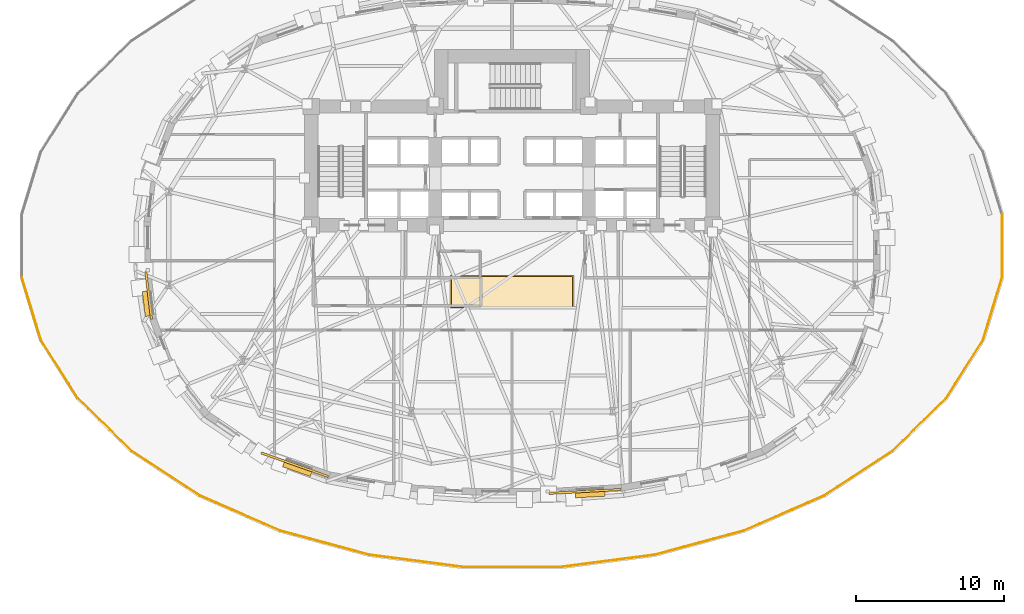
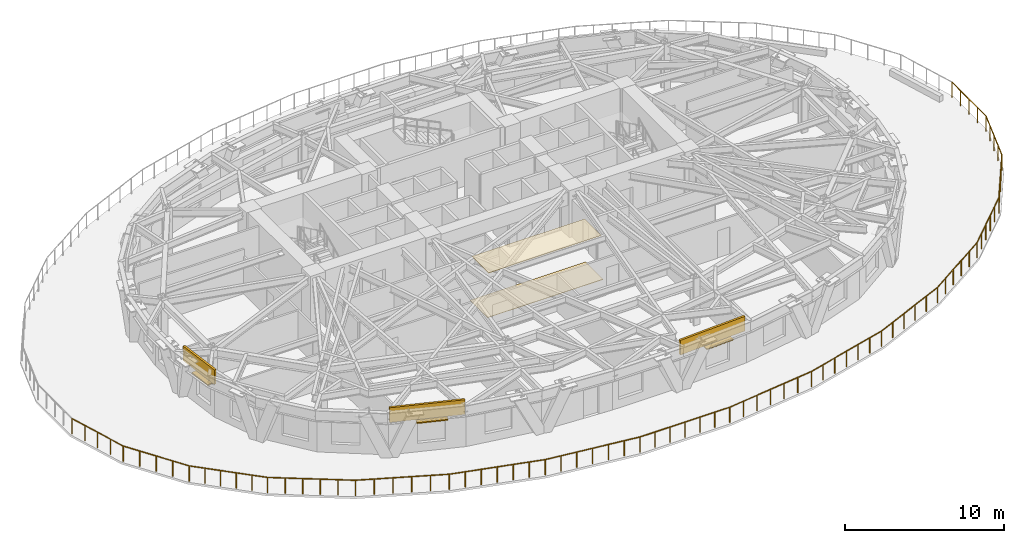
# One storey, part 10 of 14: 5 coverings, 3 shading devices, 1 railing.
"""IFC4 building model written with IfcOpenShell, lengths in metres."""

from ifc_helpers import new_model, si_unit, direction, frame, origin, origin_2d, place, context, subcontext, project, spatial, rectangle, circle, extrude, material, layer, layer_set, type_object, element, save


model = new_model("IFC4")

# Units and contexts
model_context = context("Model", 3, precision=1e-05, world=origin(), true_north=direction((0.0, 1.0)))
body_context = subcontext(model_context, "Body", "Model", "MODEL_VIEW")
ifc_project = project(units=[si_unit("LENGTHUNIT", "METRE"), si_unit("AREAUNIT", "SQUARE_METRE"), si_unit("VOLUMEUNIT", "CUBIC_METRE"), si_unit("PLANEANGLEUNIT", "RADIAN"), si_unit("MASSUNIT", "GRAM", prefix="KILO")], contexts=[model_context])

# Site, building, storey
site_placement = place(None, origin())
site = spatial("IfcSite", under=ifc_project, at=site_placement, CompositionType="ELEMENT")
building_placement = place(site_placement, origin())
building = spatial("IfcBuilding", under=site, at=building_placement, Name="Keldmark Tower", CompositionType="ELEMENT")
storey_placement = place(building_placement, frame((0.0, 0.0, 27.0)))
storey = spatial("IfcBuildingStorey", under=building, at=storey_placement, Name="L06", CompositionType="ELEMENT", Elevation=27.0)

# Shading devices
ifc_material_1 = material(Name="Kasota Buff Limestone Bullnose and Bronze Anodized Aluminum", Category="masonry")
ifc_layer_1 = layer(ifc_material_1, 0.080078125)
ifc_layer_set_1 = layer_set([ifc_layer_1], Name="Kasota Buff Limestone Bullnose and Bronze Anodized Aluminum")
shading_device_type = type_object("IfcShadingDeviceType", Name="Deep-Set Punched Window Stone-and-Metal Sunshade", PredefinedType="AWNING", material=ifc_layer_set_1)
shading_device_placement = place(storey_placement, frame((-24.742431640625, -3.904296875, 2.35986328125), z_axis=(0.0, 0.0, 1.0), x_axis=(-0.118767901212, 0.992922044091, 0.0)))
element("IfcShadingDevice", 1, at=shading_device_placement, inside=storey, type_object=shading_device_type, Name="L06 Kasota Stone Window Sunshade 17", PredefinedType="AWNING", context=body_context, shape_type="SweptSolid", body=[
    extrude(rectangle(XDim=1.699951171875, YDim=0.419921875, at=origin_2d()), origin(), (0.0, 0.0, 1.0), 0.080078125),
])
for number, where, z_axis, x_axis, name in (
    (2, (-14.531005859375, -15.0888671875, 2.35986328125), (0.0, 0.0, 1.0), (-0.943361710524, 0.331766006572, 0.0), "L06 Kasota Stone Window Sunshade 21"),
    (3, (5.300537109375, -16.7998046875, 2.35986328125), (0.0, 0.0, 1.0), (-0.998502494505, -0.054706201362, 0.0), "L06 Kasota Stone Window Sunshade 25"),
):
    element("IfcShadingDevice", number, at=place(storey_placement, frame(where, z_axis=z_axis, x_axis=x_axis)), inside=storey, type_object=shading_device_type, Name=name, PredefinedType="AWNING", context=body_context, shape_type="SweptSolid", body=[
        extrude(rectangle(XDim=2.0, YDim=0.419921875, at=origin_2d()), origin(), (0.0, 0.0, 1.0), 0.080078125),
    ])

# Covering
ifc_material_2 = material(Name="FSC-Certified Quarter-Sawn White Oak", Category="wood")
ifc_layer_2 = layer(ifc_material_2, 0.02197265625)
ifc_layer_set_2 = layer_set([ifc_layer_2], Name="FSC-Certified Quarter-Sawn White Oak")
covering_type_1 = type_object("IfcCoveringType", Name="Engineered White Oak Residence Flooring 22 mm", PredefinedType="FLOORING", material=ifc_layer_set_2)
covering_1_placement = place(storey_placement, frame((0.0, -3.10009765625, 0.0), z_axis=(0.0, 0.0, 1.0), x_axis=(1.0, 0.0, 0.0)))
element("IfcCovering", 4, at=covering_1_placement, inside=storey, type_object=covering_type_1, Name="L06 Lift Lobby Finish Flooring", PredefinedType="FLOORING", context=body_context, shape_type="SweptSolid", body=[
    extrude(rectangle(XDim=8.39990234375, YDim=2.199951171875, at=origin_2d()), origin(), (0.0, 0.0, 1.0), 0.030029296875),
])

# Railing
ifc_material_3 = material(Name="DuPont SentryGlas Laminated Glass and Stainless Posts", Category="glass")
railing_type = type_object("IfcRailingType", Name="Heated Laminated Glass Wind-Baffle Guard 1200 mm", PredefinedType="GUARDRAIL", material=ifc_material_3)
railing_placement = place(storey_placement, frame((-33.198974609375, -2.1474609375, 0.0)))
element("IfcRailing", 5, at=railing_placement, inside=storey, type_object=railing_type, Name="L06 Terrace Laminated Glass Wind-Baffle Guard POD-TERR 02", PredefinedType="GUARDRAIL", context=body_context, shape_type="SweptSolid", body=[
    extrude(circle(Radius=0.02392578125, at=origin_2d()), frame((0.0, 0.0, 1.17578125), z_axis=(0.290552345418, -0.956859098599, 0.0), x_axis=(0.956859098599, 0.290552345418, 0.0)), (0.0, 0.0, 1.0), 4.4013671875),
    extrude(circle(Radius=0.02392578125, at=origin_2d()), frame((1.27880859375, -4.21142578125, 1.17578125), z_axis=(0.534509744285, -0.845162311787, 0.0), x_axis=(0.845162311787, 0.534509744285, 0.0)), (0.0, 0.0, 1.0), 4.69189453125),
    extrude(circle(Radius=0.02392578125, at=origin_2d()), frame((3.78662109375, -8.1767578125, 1.17578125), z_axis=(0.714280857762, -0.699859168858, 0.0), x_axis=(0.699859168858, 0.714280857762, 0.0)), (0.0, 0.0, 1.0), 5.095458984375),
    extrude(circle(Radius=0.02392578125, at=origin_2d()), frame((7.42626953125, -11.742919921875, 1.17578125), z_axis=(0.83687942213, -0.547387278639, 0.0), x_axis=(0.547387278639, 0.83687942213, 0.0)), (0.0, 0.0, 1.0), 5.5322265625),
    extrude(circle(Radius=0.02392578125, at=origin_2d()), frame((12.05615234375, -14.771240234375, 1.17578125), z_axis=(0.916451629486, -0.400145487057, 0.0), x_axis=(0.400145487057, 0.916451629486, 0.0)), (0.0, 0.0, 1.0), 5.935302734375),
    extrude(circle(Radius=0.02392578125, at=origin_2d()), frame((17.49560546875, -17.146240234375, 1.17578125), z_axis=(0.96536126714, -0.260916890803, 0.0), x_axis=(0.260916890803, 0.96536126714, 0.0)), (0.0, 0.0, 1.0), 6.254150390625),
    extrude(circle(Radius=0.02392578125, at=origin_2d()), frame((23.533203125, -18.778076171875, 1.17578125), z_axis=(0.991701524663, -0.128561603838, 0.0), x_axis=(0.128561603838, 0.991701524663, 0.0)), (0.0, 0.0, 1.0), 6.45654296875),
    extrude(circle(Radius=0.02392578125, at=origin_2d()), frame((29.936279296875, -19.608154296875, 1.17578125), z_axis=(1.0, 0.0, 0.0), x_axis=(0.0, 1.0, 0.0)), (0.0, 0.0, 1.0), 6.525390625),
    extrude(circle(Radius=0.02392578125, at=origin_2d()), frame((36.461669921875, -19.608154296875, 1.17578125), z_axis=(0.991701524663, 0.128561603838, 0.0), x_axis=(-0.128561603838, 0.991701524663, 0.0)), (0.0, 0.0, 1.0), 6.45654296875),
    extrude(circle(Radius=0.02392578125, at=origin_2d()), frame((42.86474609375, -18.778076171875, 1.17578125), z_axis=(0.96536126714, 0.260916890803, 0.0), x_axis=(-0.260916890803, 0.96536126714, 0.0)), (0.0, 0.0, 1.0), 6.254150390625),
    extrude(circle(Radius=0.02392578125, at=origin_2d()), frame((48.90234375, -17.146240234375, 1.17578125), z_axis=(0.916451629486, 0.400145487057, 0.0), x_axis=(-0.400145487057, 0.916451629486, 0.0)), (0.0, 0.0, 1.0), 5.935302734375),
    extrude(circle(Radius=0.02392578125, at=origin_2d()), frame((54.341796875, -14.771240234375, 1.17578125), z_axis=(0.83687942213, 0.547387278639, 0.0), x_axis=(-0.547387278639, 0.83687942213, 0.0)), (0.0, 0.0, 1.0), 5.5322265625),
    extrude(circle(Radius=0.02392578125, at=origin_2d()), frame((58.9716796875, -11.742919921875, 1.17578125), z_axis=(0.714280857762, 0.699859168858, 0.0), x_axis=(-0.699859168858, 0.714280857762, 0.0)), (0.0, 0.0, 1.0), 5.095458984375),
    extrude(circle(Radius=0.02392578125, at=origin_2d()), frame((62.611328125, -8.1767578125, 1.17578125), z_axis=(0.534509744285, 0.845162311787, 0.0), x_axis=(-0.845162311787, 0.534509744285, 0.0)), (0.0, 0.0, 1.0), 4.69189453125),
    extrude(circle(Radius=0.02392578125, at=origin_2d()), frame((65.119140625, -4.21142578125, 1.17578125), z_axis=(0.290552345418, 0.956859098599, 0.0), x_axis=(-0.956859098599, 0.290552345418, 0.0)), (0.0, 0.0, 1.0), 4.4013671875),
    extrude(circle(Radius=0.02392578125, at=origin_2d()), frame((66.39794921875, 0.0, 1.17578125), z_axis=(0.0, 1.0, 0.0), x_axis=(-1.0, 0.0, 0.0)), (0.0, 0.0, 1.0), 4.294921875),
    extrude(circle(Radius=0.02099609375, at=origin_2d()), origin(), (0.0, 0.0, 1.0), 1.15185546875),
    extrude(circle(Radius=0.02099609375, at=origin_2d()), frame((0.31982421875, -1.052734375, 0.0)), (0.0, 0.0, 1.0), 1.15185546875),
    extrude(circle(Radius=0.02099609375, at=origin_2d()), frame((0.639404296875, -2.105712890625, 0.0)), (0.0, 0.0, 1.0), 1.15185546875),
    extrude(circle(Radius=0.02099609375, at=origin_2d()), frame((0.958984375, -3.15869140625, 0.0)), (0.0, 0.0, 1.0), 1.15185546875),
    extrude(circle(Radius=0.02099609375, at=origin_2d()), frame((1.27880859375, -4.21142578125, 0.0)), (0.0, 0.0, 1.0), 1.15185546875),
    extrude(circle(Radius=0.02099609375, at=origin_2d()), frame((1.90576171875, -5.20263671875, 0.0)), (0.0, 0.0, 1.0), 1.15185546875),
    extrude(circle(Radius=0.02099609375, at=origin_2d()), frame((2.53271484375, -6.194091796875, 0.0)), (0.0, 0.0, 1.0), 1.15185546875),
    extrude(circle(Radius=0.02099609375, at=origin_2d()), frame((3.15966796875, -7.185546875, 0.0)), (0.0, 0.0, 1.0), 1.15185546875),
    extrude(circle(Radius=0.02099609375, at=origin_2d()), frame((3.78662109375, -8.1767578125, 0.0)), (0.0, 0.0, 1.0), 1.15185546875),
    extrude(circle(Radius=0.02099609375, at=origin_2d()), frame((4.5146484375, -8.889892578125, 0.0)), (0.0, 0.0, 1.0), 1.15185546875),
    extrude(circle(Radius=0.02099609375, at=origin_2d()), frame((5.242431640625, -9.603271484375, 0.0)), (0.0, 0.0, 1.0), 1.15185546875),
    extrude(circle(Radius=0.02099609375, at=origin_2d()), frame((5.970458984375, -10.31640625, 0.0)), (0.0, 0.0, 1.0), 1.15185546875),
    extrude(circle(Radius=0.02099609375, at=origin_2d()), frame((6.6982421875, -11.02978515625, 0.0)), (0.0, 0.0, 1.0), 1.15185546875),
    extrude(circle(Radius=0.02099609375, at=origin_2d()), frame((7.42626953125, -11.742919921875, 0.0)), (0.0, 0.0, 1.0), 1.15185546875),
    extrude(circle(Radius=0.02099609375, at=origin_2d()), frame((8.352294921875, -12.3486328125, 0.0)), (0.0, 0.0, 1.0), 1.15185546875),
    extrude(circle(Radius=0.02099609375, at=origin_2d()), frame((9.2783203125, -12.954345703125, 0.0)), (0.0, 0.0, 1.0), 1.15185546875),
    extrude(circle(Radius=0.02099609375, at=origin_2d()), frame((10.2041015625, -13.559814453125, 0.0)), (0.0, 0.0, 1.0), 1.15185546875),
    extrude(circle(Radius=0.02099609375, at=origin_2d()), frame((11.130126953125, -14.16552734375, 0.0)), (0.0, 0.0, 1.0), 1.15185546875),
    extrude(circle(Radius=0.02099609375, at=origin_2d()), frame((12.05615234375, -14.771240234375, 0.0)), (0.0, 0.0, 1.0), 1.15185546875),
    extrude(circle(Radius=0.02099609375, at=origin_2d()), frame((13.14404296875, -15.246337890625, 0.0)), (0.0, 0.0, 1.0), 1.15185546875),
    extrude(circle(Radius=0.02099609375, at=origin_2d()), frame((14.23193359375, -15.72119140625, 0.0)), (0.0, 0.0, 1.0), 1.15185546875),
    extrude(circle(Radius=0.02099609375, at=origin_2d()), frame((15.31982421875, -16.1962890625, 0.0)), (0.0, 0.0, 1.0), 1.15185546875),
    extrude(circle(Radius=0.02099609375, at=origin_2d()), frame((16.40771484375, -16.671142578125, 0.0)), (0.0, 0.0, 1.0), 1.15185546875),
    extrude(circle(Radius=0.02099609375, at=origin_2d()), frame((17.49560546875, -17.146240234375, 0.0)), (0.0, 0.0, 1.0), 1.15185546875),
    extrude(circle(Radius=0.02099609375, at=origin_2d()), frame((18.501953125, -17.418212890625, 0.0)), (0.0, 0.0, 1.0), 1.15185546875),
    extrude(circle(Radius=0.02099609375, at=origin_2d()), frame((19.508056640625, -17.690185546875, 0.0)), (0.0, 0.0, 1.0), 1.15185546875),
    extrude(circle(Radius=0.02099609375, at=origin_2d()), frame((20.514404296875, -17.962158203125, 0.0)), (0.0, 0.0, 1.0), 1.15185546875),
    extrude(circle(Radius=0.02099609375, at=origin_2d()), frame((21.520751953125, -18.234130859375, 0.0)), (0.0, 0.0, 1.0), 1.15185546875),
    extrude(circle(Radius=0.02099609375, at=origin_2d()), frame((22.52685546875, -18.506103515625, 0.0)), (0.0, 0.0, 1.0), 1.15185546875),
    extrude(circle(Radius=0.02099609375, at=origin_2d()), frame((23.533203125, -18.778076171875, 0.0)), (0.0, 0.0, 1.0), 1.15185546875),
    extrude(circle(Radius=0.02099609375, at=origin_2d()), frame((24.600341796875, -18.91650390625, 0.0)), (0.0, 0.0, 1.0), 1.15185546875),
    extrude(circle(Radius=0.02099609375, at=origin_2d()), frame((25.66748046875, -19.0546875, 0.0)), (0.0, 0.0, 1.0), 1.15185546875),
    extrude(circle(Radius=0.02099609375, at=origin_2d()), frame((26.73486328125, -19.193115234375, 0.0)), (0.0, 0.0, 1.0), 1.15185546875),
    extrude(circle(Radius=0.02099609375, at=origin_2d()), frame((27.802001953125, -19.33154296875, 0.0)), (0.0, 0.0, 1.0), 1.15185546875),
    extrude(circle(Radius=0.02099609375, at=origin_2d()), frame((28.869140625, -19.4697265625, 0.0)), (0.0, 0.0, 1.0), 1.15185546875),
    extrude(circle(Radius=0.02099609375, at=origin_2d()), frame((29.936279296875, -19.608154296875, 0.0)), (0.0, 0.0, 1.0), 1.15185546875),
    extrude(circle(Radius=0.02099609375, at=origin_2d()), frame((31.02392578125, -19.608154296875, 0.0)), (0.0, 0.0, 1.0), 1.15185546875),
    extrude(circle(Radius=0.02099609375, at=origin_2d()), frame((32.111328125, -19.608154296875, 0.0)), (0.0, 0.0, 1.0), 1.15185546875),
    extrude(circle(Radius=0.02099609375, at=origin_2d()), frame((33.198974609375, -19.608154296875, 0.0)), (0.0, 0.0, 1.0), 1.15185546875),
    extrude(circle(Radius=0.02099609375, at=origin_2d()), frame((34.28662109375, -19.608154296875, 0.0)), (0.0, 0.0, 1.0), 1.15185546875),
    extrude(circle(Radius=0.02099609375, at=origin_2d()), frame((35.3740234375, -19.608154296875, 0.0)), (0.0, 0.0, 1.0), 1.15185546875),
    extrude(circle(Radius=0.02099609375, at=origin_2d()), frame((36.461669921875, -19.608154296875, 0.0)), (0.0, 0.0, 1.0), 1.15185546875),
    extrude(circle(Radius=0.02099609375, at=origin_2d()), frame((37.52880859375, -19.4697265625, 0.0)), (0.0, 0.0, 1.0), 1.15185546875),
    extrude(circle(Radius=0.02099609375, at=origin_2d()), frame((38.595947265625, -19.33154296875, 0.0)), (0.0, 0.0, 1.0), 1.15185546875),
    extrude(circle(Radius=0.02099609375, at=origin_2d()), frame((39.6630859375, -19.193115234375, 0.0)), (0.0, 0.0, 1.0), 1.15185546875),
    extrude(circle(Radius=0.02099609375, at=origin_2d()), frame((40.73046875, -19.0546875, 0.0)), (0.0, 0.0, 1.0), 1.15185546875),
    extrude(circle(Radius=0.02099609375, at=origin_2d()), frame((41.797607421875, -18.91650390625, 0.0)), (0.0, 0.0, 1.0), 1.15185546875),
    extrude(circle(Radius=0.02099609375, at=origin_2d()), frame((42.86474609375, -18.778076171875, 0.0)), (0.0, 0.0, 1.0), 1.15185546875),
    extrude(circle(Radius=0.02099609375, at=origin_2d()), frame((43.87109375, -18.506103515625, 0.0)), (0.0, 0.0, 1.0), 1.15185546875),
    extrude(circle(Radius=0.02099609375, at=origin_2d()), frame((44.877197265625, -18.234130859375, 0.0)), (0.0, 0.0, 1.0), 1.15185546875),
    extrude(circle(Radius=0.02099609375, at=origin_2d()), frame((45.883544921875, -17.962158203125, 0.0)), (0.0, 0.0, 1.0), 1.15185546875),
    extrude(circle(Radius=0.02099609375, at=origin_2d()), frame((46.889892578125, -17.690185546875, 0.0)), (0.0, 0.0, 1.0), 1.15185546875),
    extrude(circle(Radius=0.02099609375, at=origin_2d()), frame((47.89599609375, -17.418212890625, 0.0)), (0.0, 0.0, 1.0), 1.15185546875),
    extrude(circle(Radius=0.02099609375, at=origin_2d()), frame((48.90234375, -17.146240234375, 0.0)), (0.0, 0.0, 1.0), 1.15185546875),
    extrude(circle(Radius=0.02099609375, at=origin_2d()), frame((49.990234375, -16.671142578125, 0.0)), (0.0, 0.0, 1.0), 1.15185546875),
    extrude(circle(Radius=0.02099609375, at=origin_2d()), frame((51.078125, -16.1962890625, 0.0)), (0.0, 0.0, 1.0), 1.15185546875),
    extrude(circle(Radius=0.02099609375, at=origin_2d()), frame((52.166015625, -15.72119140625, 0.0)), (0.0, 0.0, 1.0), 1.15185546875),
    extrude(circle(Radius=0.02099609375, at=origin_2d()), frame((53.25390625, -15.246337890625, 0.0)), (0.0, 0.0, 1.0), 1.15185546875),
    extrude(circle(Radius=0.02099609375, at=origin_2d()), frame((54.341796875, -14.771240234375, 0.0)), (0.0, 0.0, 1.0), 1.15185546875),
    extrude(circle(Radius=0.02099609375, at=origin_2d()), frame((55.267822265625, -14.16552734375, 0.0)), (0.0, 0.0, 1.0), 1.15185546875),
    extrude(circle(Radius=0.02099609375, at=origin_2d()), frame((56.19384765625, -13.559814453125, 0.0)), (0.0, 0.0, 1.0), 1.15185546875),
    extrude(circle(Radius=0.02099609375, at=origin_2d()), frame((57.11962890625, -12.954345703125, 0.0)), (0.0, 0.0, 1.0), 1.15185546875),
    extrude(circle(Radius=0.02099609375, at=origin_2d()), frame((58.045654296875, -12.3486328125, 0.0)), (0.0, 0.0, 1.0), 1.15185546875),
    extrude(circle(Radius=0.02099609375, at=origin_2d()), frame((58.9716796875, -11.742919921875, 0.0)), (0.0, 0.0, 1.0), 1.15185546875),
    extrude(circle(Radius=0.02099609375, at=origin_2d()), frame((59.69970703125, -11.02978515625, 0.0)), (0.0, 0.0, 1.0), 1.15185546875),
    extrude(circle(Radius=0.02099609375, at=origin_2d()), frame((60.427490234375, -10.31640625, 0.0)), (0.0, 0.0, 1.0), 1.15185546875),
    extrude(circle(Radius=0.02099609375, at=origin_2d()), frame((61.155517578125, -9.603271484375, 0.0)), (0.0, 0.0, 1.0), 1.15185546875),
    extrude(circle(Radius=0.02099609375, at=origin_2d()), frame((61.88330078125, -8.889892578125, 0.0)), (0.0, 0.0, 1.0), 1.15185546875),
    extrude(circle(Radius=0.02099609375, at=origin_2d()), frame((62.611328125, -8.1767578125, 0.0)), (0.0, 0.0, 1.0), 1.15185546875),
    extrude(circle(Radius=0.02099609375, at=origin_2d()), frame((63.23828125, -7.185546875, 0.0)), (0.0, 0.0, 1.0), 1.15185546875),
    extrude(circle(Radius=0.02099609375, at=origin_2d()), frame((63.865234375, -6.194091796875, 0.0)), (0.0, 0.0, 1.0), 1.15185546875),
    extrude(circle(Radius=0.02099609375, at=origin_2d()), frame((64.4921875, -5.20263671875, 0.0)), (0.0, 0.0, 1.0), 1.15185546875),
    extrude(circle(Radius=0.02099609375, at=origin_2d()), frame((65.119140625, -4.21142578125, 0.0)), (0.0, 0.0, 1.0), 1.15185546875),
    extrude(circle(Radius=0.02099609375, at=origin_2d()), frame((65.43896484375, -3.15869140625, 0.0)), (0.0, 0.0, 1.0), 1.15185546875),
    extrude(circle(Radius=0.02099609375, at=origin_2d()), frame((65.758544921875, -2.105712890625, 0.0)), (0.0, 0.0, 1.0), 1.15185546875),
    extrude(circle(Radius=0.02099609375, at=origin_2d()), frame((66.078125, -1.052734375, 0.0)), (0.0, 0.0, 1.0), 1.15185546875),
    extrude(circle(Radius=0.02099609375, at=origin_2d()), frame((66.39794921875, 0.0, 0.0)), (0.0, 0.0, 1.0), 1.15185546875),
    extrude(circle(Radius=0.02099609375, at=origin_2d()), frame((66.39794921875, 1.07373046875, 0.0)), (0.0, 0.0, 1.0), 1.15185546875),
    extrude(circle(Radius=0.02099609375, at=origin_2d()), frame((66.39794921875, 2.1474609375, 0.0)), (0.0, 0.0, 1.0), 1.15185546875),
    extrude(circle(Radius=0.02099609375, at=origin_2d()), frame((66.39794921875, 3.22119140625, 0.0)), (0.0, 0.0, 1.0), 1.15185546875),
    extrude(circle(Radius=0.02099609375, at=origin_2d()), frame((66.39794921875, 4.294921875, 0.0)), (0.0, 0.0, 1.0), 1.15185546875),
])

# Coverings
ifc_material_4 = material(Name="Honed Kasota Buff Dolomitic Limestone", Category="masonry")
ifc_layer_3 = layer(ifc_material_4, 0.074951171875)
ifc_layer_set_3 = layer_set([ifc_layer_3], Name="Honed Kasota Buff Dolomitic Limestone")
covering_type_2 = type_object("IfcCoveringType", Name="Kasota Buff Limestone Spandrel Cladding Band", PredefinedType="CLADDING", material=ifc_layer_set_3)
covering_2_placement = place(storey_placement, frame((-24.619140625, -3.336181640625, 2.453125), z_axis=(0.0, 0.0, 1.0), x_axis=(0.118767901212, -0.992922044091, 0.0)))
element("IfcCovering", 6, at=covering_2_placement, inside=storey, type_object=covering_type_2, Name="L06 Kasota Limestone Spandrel Band 17", PredefinedType="CLADDING", context=body_context, shape_type="SweptSolid", body=[
    extrude(rectangle(XDim=3.2783203125, YDim=0.14990234375, at=origin_2d()), origin(), (0.0, 0.0, 1.0), 1.126953125),
])
covering_3_placement = place(storey_placement, frame((-14.72705078125, -14.818359375, 2.453125), z_axis=(0.0, 0.0, 1.0), x_axis=(0.943361710524, -0.331766006572, 0.0)))
element("IfcCovering", 7, at=covering_3_placement, inside=storey, type_object=covering_type_2, Name="L06 Kasota Limestone Spandrel Band 21", PredefinedType="CLADDING", context=body_context, shape_type="SweptSolid", body=[
    extrude(rectangle(XDim=4.825927734375, YDim=0.14990234375, at=origin_2d()), origin(), (0.0, 0.0, 1.0), 1.126953125),
])
covering_4_placement = place(storey_placement, frame((4.941650390625, -16.629150390625, 2.453125), z_axis=(0.0, 0.0, 1.0), x_axis=(0.998502494505, 0.054706201362, 0.0)))
element("IfcCovering", 8, at=covering_4_placement, inside=storey, type_object=covering_type_2, Name="L06 Kasota Limestone Spandrel Band 25", PredefinedType="CLADDING", context=body_context, shape_type="SweptSolid", body=[
    extrude(rectangle(XDim=4.8720703125, YDim=0.14990234375, at=origin_2d()), origin(), (0.0, 0.0, 1.0), 1.126953125),
])
ifc_material_5 = material(Name="Perforated Acoustic Gypsum and Recycled Mineral Wool", Category="gypsum")
ifc_layer_4 = layer(ifc_material_5, 0.044921875)
ifc_layer_set_4 = layer_set([ifc_layer_4], Name="Perforated Acoustic Gypsum and Recycled Mineral Wool")
covering_type_3 = type_object("IfcCoveringType", Name="Suspended Acoustic Mineral-Fiber Ceiling 45 mm", PredefinedType="CEILING", material=ifc_layer_set_4)
covering_5_placement = place(storey_placement, frame((0.0, -3.10009765625, 3.35498046875), z_axis=(0.0, 0.0, 1.0), x_axis=(1.0, 0.0, 0.0)))
element("IfcCovering", 9, at=covering_5_placement, inside=storey, type_object=covering_type_3, Name="L06 Lift Lobby Acoustic Ceiling", PredefinedType="CEILING", context=body_context, shape_type="SweptSolid", body=[
    extrude(rectangle(XDim=8.199951171875, YDim=2.10009765625, at=origin_2d()), origin(), (0.0, 0.0, 1.0), 0.044921875),
])

save(model, "model.ifc")
